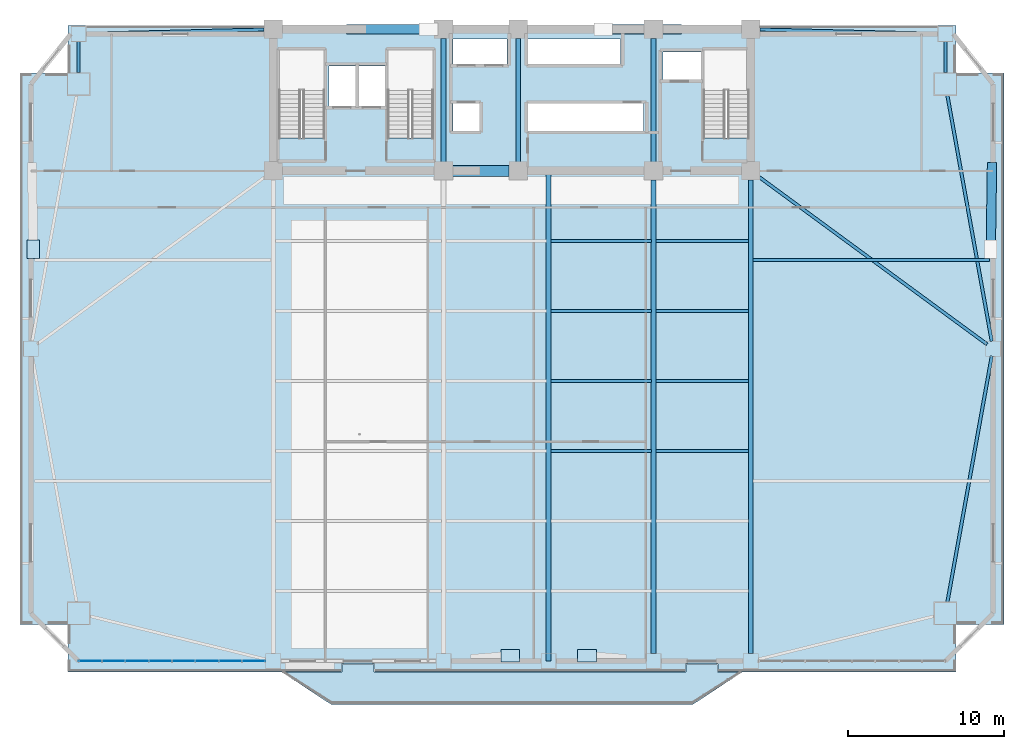
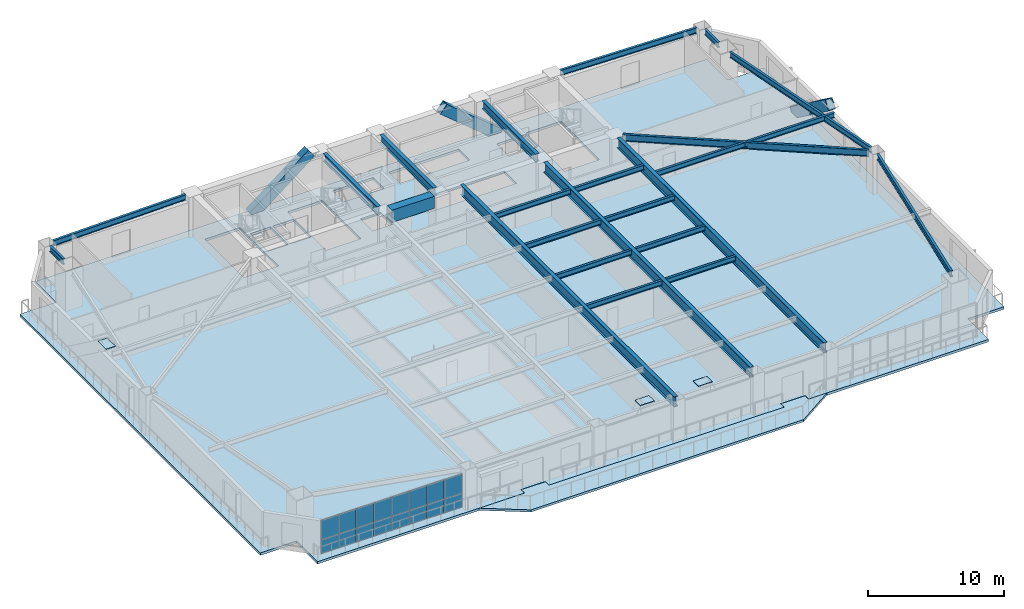
# One storey, part 6 of 16: 23 beams, 19 plates, 3 members, 2 slabs, 1 element without a shape of its own.
"""IFC4 building model written with IfcOpenShell, lengths in metres."""

from ifc_helpers import new_model, si_unit, direction, frame, origin, origin_2d, place, context, subcontext, project, spatial, polyline, rectangle, hollow_rectangle, i_section, outline, extrude, source, transform, mapped, material, layer, layer_set, material_profile, profile_set, type_object, element, aggregate, save


model = new_model("IFC4")

# Units and contexts
model_context = context("Model", 3, precision=1e-05, world=origin(), true_north=direction((0.0, 1.0)))
body_context = subcontext(model_context, "Body", "Model", "MODEL_VIEW")
ifc_project = project(units=[si_unit("LENGTHUNIT", "METRE"), si_unit("AREAUNIT", "SQUARE_METRE"), si_unit("VOLUMEUNIT", "CUBIC_METRE"), si_unit("PLANEANGLEUNIT", "RADIAN"), si_unit("MASSUNIT", "GRAM", prefix="KILO")], contexts=[model_context])

# Site, building, storey
site_placement = place(None, origin())
site = spatial("IfcSite", under=ifc_project, at=site_placement, CompositionType="ELEMENT")
building_placement = place(site_placement, origin())
building = spatial("IfcBuilding", under=site, at=building_placement, Name="Giltprow Tower", CompositionType="ELEMENT")
storey_placement = place(building_placement, frame((0.0, 0.0, 91.300048828125)))
storey = spatial("IfcBuildingStorey", under=building, at=storey_placement, Name="L22", CompositionType="ELEMENT", Elevation=91.300048828125)

# Beams
ifc_material_1 = material(Name="Concrete C60", Category="concrete")
ifc_material_profile_1 = material_profile(ifc_material_1, rectangle(XDim=0.699951171875, YDim=1.10009765625, at=origin_2d()), Name="RC 1100x700")
ifc_profile_set_1 = profile_set([ifc_material_profile_1], Name="Concrete C60")
beam_type_1 = type_object("IfcBeamType", Name="BM-CPL-RC1100", PredefinedType="LINTEL", material=ifc_profile_set_1)
shared_shape_1 = source(origin(), body_context, "Body", "SweptSolid", [
    extrude(rectangle(XDim=0.699951171875, YDim=1.10009765625, at=origin_2d()), origin(), (0.0, 0.0, 1.0), 3.6298828125),
])
beam_1_placement = place(storey_placement, frame((31.385009765625, 37.449951171875, 3.070068359375), z_axis=(1.0, 0.0, 0.0), x_axis=(0.0, 1.0, 0.0)))
element("IfcBeam", 1, at=beam_1_placement, inside=storey, type_object=beam_type_1, Name="L22 Core Coupling Beam CB-1", PredefinedType="LINTEL", context=body_context, shape_type="MappedRepresentation", body=[
    mapped(shared_shape_1, transform((0.0, 0.0, 0.0), x_axis=(1.0, 0.0, 0.0), y_axis=(0.0, 1.0, 0.0), z_axis=(0.0, 0.0, 1.0), scale=1.0)),
])
ifc_material_2 = material(Name="Structural steel Q355B", Category="steel")
ifc_material_profile_2 = material_profile(ifc_material_2, i_section(OverallWidth=0.300048828125, OverallDepth=0.699951171875, WebThickness=0.012939453125, FlangeThickness=0.02392578125, at=origin_2d()), Name="HN 700x300x13x24")
ifc_profile_set_2 = profile_set([ifc_material_profile_2], Name="Structural steel Q355B")
beam_type_2 = type_object("IfcBeamType", Name="BM-GIRD-HN700", PredefinedType="BEAM", material=ifc_profile_set_2)
shared_shape_2 = source(origin(), body_context, "Body", "SweptSolid", [
    extrude(i_section(OverallWidth=0.300048828125, OverallDepth=0.699951171875, WebThickness=0.012939453125, FlangeThickness=0.02392578125, at=origin_2d()), origin(), (0.0, 0.0, 1.0), 7.93017578125),
])
for number, where, z_axis, x_axis, name in (
    (2, (30.800048828125, 38.034912109375, 3.27001953125), (0.0, 1.0, 0.0), (-1.0, 0.0, 0.0), "L22 Core Tie Girder M1"),
    (3, (35.60009765625, 38.034912109375, 3.27001953125), (0.0, 1.0, 0.0), (-1.0, 0.0, 0.0), "L22 Core Tie Girder M2"),
    (4, (44.300048828125, 38.034912109375, 3.27001953125), (0.0, 1.0, 0.0), (-1.0, 0.0, 0.0), "L22 Core Tie Girder M3"),
):
    element("IfcBeam", number, at=place(storey_placement, frame(where, z_axis=z_axis, x_axis=x_axis)), inside=storey, type_object=beam_type_2, Name=name, PredefinedType="BEAM", context=body_context, shape_type="MappedRepresentation", body=[
        mapped(shared_shape_2, transform((0.0, 0.0, 0.0), x_axis=(1.0, 0.0, 0.0), y_axis=(0.0, 1.0, 0.0), z_axis=(0.0, 0.0, 1.0), scale=1.0)),
    ])
ifc_material_profile_3 = material_profile(ifc_material_2, i_section(OverallWidth=0.199951171875, OverallDepth=0.449951171875, WebThickness=0.009033203125, FlangeThickness=0.013916015625, at=origin_2d()), Name="HN 450x200x9x14")
ifc_profile_set_3 = profile_set([ifc_material_profile_3], Name="Structural steel Q355B")
beam_type_3 = type_object("IfcBeamType", Name="BM-JOIST-HN450", PredefinedType="JOIST", material=ifc_profile_set_3)
shared_shape_3 = source(origin(), body_context, "Body", "SweptSolid", [
    extrude(i_section(OverallWidth=0.199951171875, OverallDepth=0.449951171875, WebThickness=0.009033203125, FlangeThickness=0.013916015625, at=origin_2d()), origin(), (0.0, 0.0, 1.0), 6.4599609375),
])
for number, where, z_axis, x_axis, name in (
    (5, (37.695068359375, 19.44189453125, 3.39501953125), (1.0, 0.0, 0.0), (0.0, 1.0, 0.0), "L22 Composite Floor Joist 3-3"),
    (6, (37.695068359375, 23.944091796875, 3.39501953125), (1.0, 0.0, 0.0), (0.0, 1.0, 0.0), "L22 Composite Floor Joist 4-3"),
    (7, (37.695068359375, 28.446044921875, 3.39501953125), (1.0, 0.0, 0.0), (0.0, 1.0, 0.0), "L22 Composite Floor Joist 5-3"),
    (8, (37.695068359375, 32.947998046875, 3.39501953125), (1.0, 0.0, 0.0), (0.0, 1.0, 0.0), "L22 Composite Floor Joist 6-3"),
):
    element("IfcBeam", number, at=place(storey_placement, frame(where, z_axis=z_axis, x_axis=x_axis)), inside=storey, type_object=beam_type_3, Name=name, PredefinedType="JOIST", context=body_context, shape_type="MappedRepresentation", body=[
        mapped(shared_shape_3, transform((0.0, 0.0, 0.0), x_axis=(1.0, 0.0, 0.0), y_axis=(0.0, 1.0, 0.0), z_axis=(0.0, 0.0, 1.0), scale=1.0)),
    ])
shared_shape_4 = source(origin(), body_context, "Body", "SweptSolid", [
    extrude(i_section(OverallWidth=0.199951171875, OverallDepth=0.449951171875, WebThickness=0.009033203125, FlangeThickness=0.013916015625, at=origin_2d()), origin(), (0.0, 0.0, 1.0), 5.9599609375),
])
for number, where, z_axis, x_axis, name in (
    (9, (44.445068359375, 19.44189453125, 3.39501953125), (1.0, 0.0, 0.0), (0.0, 1.0, 0.0), "L22 Composite Floor Joist 3-4"),
    (10, (44.445068359375, 23.944091796875, 3.39501953125), (1.0, 0.0, 0.0), (0.0, 1.0, 0.0), "L22 Composite Floor Joist 4-4"),
    (11, (44.445068359375, 28.446044921875, 3.39501953125), (1.0, 0.0, 0.0), (0.0, 1.0, 0.0), "L22 Composite Floor Joist 5-4"),
    (12, (44.445068359375, 32.947998046875, 3.39501953125), (1.0, 0.0, 0.0), (0.0, 1.0, 0.0), "L22 Composite Floor Joist 6-4"),
):
    element("IfcBeam", number, at=place(storey_placement, frame(where, z_axis=z_axis, x_axis=x_axis)), inside=storey, type_object=beam_type_3, Name=name, PredefinedType="JOIST", context=body_context, shape_type="MappedRepresentation", body=[
        mapped(shared_shape_4, transform((0.0, 0.0, 0.0), x_axis=(1.0, 0.0, 0.0), y_axis=(0.0, 1.0, 0.0), z_axis=(0.0, 0.0, 1.0), scale=1.0)),
    ])
ifc_material_profile_4 = material_profile(ifc_material_2, i_section(OverallWidth=0.199951171875, OverallDepth=0.5, WebThickness=0.010009765625, FlangeThickness=0.01611328125, at=origin_2d()), Name="HN 500x200x10x16")
ifc_profile_set_4 = profile_set([ifc_material_profile_4], Name="Structural steel Q355B")
beam_type_4 = type_object("IfcBeamType", Name="BM-SPAN-HN500", PredefinedType="SPANDREL", material=ifc_profile_set_4)
shared_shape_5 = source(origin(), body_context, "Body", "SweptSolid", [
    extrude(i_section(OverallWidth=0.199951171875, OverallDepth=0.5, WebThickness=0.010009765625, FlangeThickness=0.01611328125, at=origin_2d()), origin(), (0.0, 0.0, 1.0), 16.0673828125),
])
beam_2_placement = place(storey_placement, frame((63.18701171875, 9.72900390625, 3.369873046875), z_axis=(0.177566852067, 0.984108740459, 0.0), x_axis=(-0.984108740459, 0.177566852067, 0.0)))
element("IfcBeam", 13, at=beam_2_placement, inside=storey, type_object=beam_type_4, Name="L22 Perimeter Spandrel Beam MC_SE-E_MID", PredefinedType="SPANDREL", context=body_context, shape_type="MappedRepresentation", body=[
    mapped(shared_shape_5, transform((0.0, 0.0, 0.0), x_axis=(1.0, 0.0, 0.0), y_axis=(0.0, 1.0, 0.0), z_axis=(0.0, 0.0, 1.0), scale=1.0)),
])
shared_shape_6 = source(origin(), body_context, "Body", "SweptSolid", [
    extrude(i_section(OverallWidth=0.199951171875, OverallDepth=0.5, WebThickness=0.010009765625, FlangeThickness=0.01611328125, at=origin_2d()), origin(), (0.0, 0.0, 1.0), 16.067138671875),
])
beam_3_placement = place(storey_placement, frame((66.0400390625, 26.4951171875, 3.369873046875), z_axis=(-0.177569507329, 0.984108261355, 0.0), x_axis=(-0.984108261355, -0.177569507329, 0.0)))
element("IfcBeam", 14, at=beam_3_placement, inside=storey, type_object=beam_type_4, Name="L22 Perimeter Spandrel Beam E_MID-MC_NE", PredefinedType="SPANDREL", context=body_context, shape_type="MappedRepresentation", body=[
    mapped(shared_shape_6, transform((0.0, 0.0, 0.0), x_axis=(1.0, 0.0, 0.0), y_axis=(0.0, 1.0, 0.0), z_axis=(0.0, 0.0, 1.0), scale=1.0)),
])
shared_shape_7 = source(origin(), body_context, "Body", "SweptSolid", [
    extrude(i_section(OverallWidth=0.199951171875, OverallDepth=0.5, WebThickness=0.010009765625, FlangeThickness=0.01611328125, at=origin_2d()), origin(), (0.0, 0.0, 1.0), 2.0),
])
for number, where, z_axis, x_axis, name in (
    (15, (63.055908203125, 43.764892578125, 3.369873046875), (0.0, 1.0, 0.0), (-1.0, 0.0, 0.0), "L22 Perimeter Spandrel Beam MC_NE-N_E"),
    (16, (7.344970703125, 45.764892578125, 3.369873046875), (0.0, -1.0, 0.0), (1.0, 0.0, 0.0), "L22 Perimeter Spandrel Beam N_W-MC_NW"),
):
    element("IfcBeam", number, at=place(storey_placement, frame(where, z_axis=z_axis, x_axis=x_axis)), inside=storey, type_object=beam_type_4, Name=name, PredefinedType="SPANDREL", context=body_context, shape_type="MappedRepresentation", body=[
        mapped(shared_shape_7, transform((0.0, 0.0, 0.0), x_axis=(1.0, 0.0, 0.0), y_axis=(0.0, 1.0, 0.0), z_axis=(0.0, 0.0, 1.0), scale=1.0)),
    ])
shared_shape_8 = source(origin(), body_context, "Body", "SweptSolid", [
    extrude(i_section(OverallWidth=0.199951171875, OverallDepth=0.5, WebThickness=0.010009765625, FlangeThickness=0.01611328125, at=origin_2d()), origin(), (0.0, 0.0, 1.0), 11.43798828125),
])
beam_4_placement = place(storey_placement, frame((7.830078125, 46.261962890625, 3.369873046875), z_axis=(0.999713192365, 0.023948549263, 0.0), x_axis=(-0.023948549263, 0.999713192365, 0.0)))
element("IfcBeam", 17, at=beam_4_placement, inside=storey, type_object=beam_type_4, Name="L22 North Wing Spandrel W", PredefinedType="SPANDREL", context=body_context, shape_type="MappedRepresentation", body=[
    mapped(shared_shape_8, transform((0.0, 0.0, 0.0), x_axis=(1.0, 0.0, 0.0), y_axis=(0.0, 1.0, 0.0), z_axis=(0.0, 0.0, 1.0), scale=1.0)),
])
shared_shape_9 = source(origin(), body_context, "Body", "SweptSolid", [
    extrude(i_section(OverallWidth=0.199951171875, OverallDepth=0.5, WebThickness=0.010009765625, FlangeThickness=0.01611328125, at=origin_2d()), origin(), (0.0, 0.0, 1.0), 11.439208984375),
])
beam_5_placement = place(storey_placement, frame((51.135009765625, 46.535888671875, 3.369873046875), z_axis=(0.999713253564, -0.023945994417, 0.0), x_axis=(0.023945994417, 0.999713253564, 0.0)))
element("IfcBeam", 18, at=beam_5_placement, inside=storey, type_object=beam_type_4, Name="L22 North Wing Spandrel E", PredefinedType="SPANDREL", context=body_context, shape_type="MappedRepresentation", body=[
    mapped(shared_shape_9, transform((0.0, 0.0, 0.0), x_axis=(1.0, 0.0, 0.0), y_axis=(0.0, 1.0, 0.0), z_axis=(0.0, 0.0, 1.0), scale=1.0)),
])
ifc_material_profile_5 = material_profile(ifc_material_2, i_section(OverallWidth=0.300048828125, OverallDepth=0.89990234375, WebThickness=0.01611328125, FlangeThickness=0.028076171875, at=origin_2d()), Name="HN 900x300x16x28")
ifc_profile_set_5 = profile_set([ifc_material_profile_5], Name="Structural steel Q355B")
beam_type_5 = type_object("IfcBeamType", Name="BM-GIRD-HN900", PredefinedType="BEAM", material=ifc_profile_set_5)
shared_shape_10 = source(origin(), body_context, "Body", "SweptSolid", [
    extrude(i_section(OverallWidth=0.300048828125, OverallDepth=0.89990234375, WebThickness=0.01611328125, FlangeThickness=0.028076171875, at=origin_2d()), origin(), (0.0, 0.0, 1.0), 30.444091796875),
])
for number, where, z_axis, x_axis, name in (
    (19, (44.300048828125, 6.4208984375, 3.169921875), (0.0, 1.0, 0.0), (-1.0, 0.0, 0.0), "L22 Primary Lease Girder S3"),
    (20, (50.550048828125, 6.4208984375, 3.169921875), (0.0, 1.0, 0.0), (-1.0, 0.0, 0.0), "L22 Primary Lease Girder S4"),
):
    element("IfcBeam", number, at=place(storey_placement, frame(where, z_axis=z_axis, x_axis=x_axis)), inside=storey, type_object=beam_type_5, Name=name, PredefinedType="BEAM", context=body_context, shape_type="MappedRepresentation", body=[
        mapped(shared_shape_10, transform((0.0, 0.0, 0.0), x_axis=(1.0, 0.0, 0.0), y_axis=(0.0, 1.0, 0.0), z_axis=(0.0, 0.0, 1.0), scale=1.0)),
    ])
shared_shape_11 = source(origin(), body_context, "Body", "SweptSolid", [
    extrude(i_section(OverallWidth=0.300048828125, OverallDepth=0.89990234375, WebThickness=0.01611328125, FlangeThickness=0.028076171875, at=origin_2d()), origin(), (0.0, 0.0, 1.0), 31.513916015625),
])
beam_6_placement = place(storey_placement, frame((37.550048828125, 5.93603515625, 3.169921875), z_axis=(0.0, 1.0, 0.0), x_axis=(-1.0, 0.0, 0.0)))
element("IfcBeam", 21, at=beam_6_placement, inside=storey, type_object=beam_type_5, Name="L22 Central Lease Girder SMID", PredefinedType="BEAM", context=body_context, shape_type="MappedRepresentation", body=[
    mapped(shared_shape_11, transform((0.0, 0.0, 0.0), x_axis=(1.0, 0.0, 0.0), y_axis=(0.0, 1.0, 0.0), z_axis=(0.0, 0.0, 1.0), scale=1.0)),
])
ifc_material_profile_6 = material_profile(ifc_material_2, i_section(OverallWidth=0.199951171875, OverallDepth=0.60009765625, WebThickness=0.010986328125, FlangeThickness=0.01708984375, at=origin_2d()), Name="HN 600x200x11x17")
ifc_profile_set_6 = profile_set([ifc_material_profile_6], Name="Structural steel Q355B")
beam_type_6 = type_object("IfcBeamType", Name="BM-GIRD-HN600", PredefinedType="BEAM", material=ifc_profile_set_6)
shared_shape_12 = source(origin(), body_context, "Body", "SweptSolid", [
    extrude(i_section(OverallWidth=0.199951171875, OverallDepth=0.60009765625, WebThickness=0.010986328125, FlangeThickness=0.01708984375, at=origin_2d()), origin(), (0.0, 0.0, 1.0), 18.2509765625),
])
beam_7_placement = place(storey_placement, frame((65.735107421875, 26.304931640625, 3.320068359375), z_axis=(-0.806158265138, 0.591699967508, 0.0), x_axis=(-0.591699967508, -0.806158265138, 0.0)))
element("IfcBeam", 22, at=beam_7_placement, inside=storey, type_object=beam_type_6, Name="L22 East Wing Primary Girder", PredefinedType="BEAM", context=body_context, shape_type="MappedRepresentation", body=[
    mapped(shared_shape_12, transform((0.0, 0.0, 0.0), x_axis=(1.0, 0.0, 0.0), y_axis=(0.0, 1.0, 0.0), z_axis=(0.0, 0.0, 1.0), scale=1.0)),
])
shared_shape_13 = source(origin(), body_context, "Body", "SweptSolid", [
    extrude(i_section(OverallWidth=0.199951171875, OverallDepth=0.449951171875, WebThickness=0.009033203125, FlangeThickness=0.013916015625, at=origin_2d()), origin(), (0.0, 0.0, 1.0), 15.2109375),
])
beam_8_placement = place(storey_placement, frame((50.695068359375, 31.73388671875, 3.39501953125), z_axis=(1.0, 0.0, 0.0), x_axis=(0.0, 1.0, 0.0)))
element("IfcBeam", 23, at=beam_8_placement, inside=storey, type_object=beam_type_3, Name="L22 East Wing Floor Joist 2", PredefinedType="JOIST", context=body_context, shape_type="MappedRepresentation", body=[
    mapped(shared_shape_13, transform((0.0, 0.0, 0.0), x_axis=(1.0, 0.0, 0.0), y_axis=(0.0, 1.0, 0.0), z_axis=(0.0, 0.0, 1.0), scale=1.0)),
])

# Members
ifc_material_3 = material(Name="Structural steel Q420GJC", Category="steel")
ifc_material_profile_7 = material_profile(ifc_material_3, hollow_rectangle(XDim=0.60009765625, YDim=0.89990234375, WallThickness=0.0400390625, at=origin_2d()), Name="RHS 900x600x40")
ifc_profile_set_7 = profile_set([ifc_material_profile_7], Name="Structural steel Q420GJC")
member_type = type_object("IfcMemberType", Name="MBR-MEGA-RHS900", PredefinedType="BRACE", material=ifc_profile_set_7)
shared_shape_14 = source(origin(), body_context, "Body", "SweptSolid", [
    extrude(hollow_rectangle(XDim=0.60009765625, YDim=0.89990234375, WallThickness=0.0400390625, at=origin_2d()), origin(), (0.0, 0.0, 1.0), 6.33642578125),
])
member_1_placement = place(storey_placement, frame((24.843994140625, 46.550048828125, -0.14013671875), z_axis=(0.788126587103, 0.0, 0.615513186456), x_axis=(0.0, 1.0, 0.0)))
element("IfcMember", 24, at=member_1_placement, inside=storey, type_object=member_type, Name="L22 Chevron Mega-Brace N-L", PredefinedType="BRACE", context=body_context, shape_type="MappedRepresentation", body=[
    mapped(shared_shape_14, transform((0.0, 0.0, 0.0), x_axis=(1.0, 0.0, 0.0), y_axis=(0.0, 1.0, 0.0), z_axis=(0.0, 0.0, 1.0), scale=1.0)),
])
shared_shape_15 = source(origin(), body_context, "Body", "SweptSolid", [
    extrude(hollow_rectangle(XDim=0.60009765625, YDim=0.89990234375, WallThickness=0.0400390625, at=origin_2d()), origin(), (0.0, 0.0, 1.0), 6.13818359375),
])
member_2_placement = place(storey_placement, frame((45.81005859375, 46.550048828125, -0.14013671875), z_axis=(-0.772199968951, 0.0, 0.635379577852), x_axis=(0.0, -1.0, 0.0)))
element("IfcMember", 25, at=member_2_placement, inside=storey, type_object=member_type, Name="L22 Chevron Mega-Brace N-R", PredefinedType="BRACE", context=body_context, shape_type="MappedRepresentation", body=[
    mapped(shared_shape_15, transform((0.0, 0.0, 0.0), x_axis=(1.0, 0.0, 0.0), y_axis=(0.0, 1.0, 0.0), z_axis=(0.0, 0.0, 1.0), scale=1.0)),
])
shared_shape_16 = source(origin(), body_context, "Body", "SweptSolid", [
    extrude(hollow_rectangle(XDim=0.60009765625, YDim=0.89990234375, WallThickness=0.0400390625, at=origin_2d()), origin(), (0.0, 0.0, 1.0), 6.589599609375),
])
member_3_placement = place(storey_placement, frame((66.051025390625, 37.718994140625, 0.0), z_axis=(-0.011226095809, -0.805981809328, 0.591833843072), x_axis=(0.999903012933, -0.013927122043, 0.0)))
element("IfcMember", 26, at=member_3_placement, inside=storey, type_object=member_type, Name="L22 Chevron Mega-Brace E-R", PredefinedType="BRACE", context=body_context, shape_type="MappedRepresentation", body=[
    mapped(shared_shape_16, transform((0.0, 0.0, 0.0), x_axis=(1.0, 0.0, 0.0), y_axis=(0.0, 1.0, 0.0), z_axis=(0.0, 0.0, 1.0), scale=1.0)),
])

# Slabs
ifc_material_4 = material(Name="Concrete C40", Category="concrete")
ifc_layer_1 = layer(ifc_material_4, 0.199951171875, Name="Concrete C40")
ifc_layer_set_1 = layer_set([ifc_layer_1], Name="Concrete C40")
slab_type_1 = type_object("IfcSlabType", Name="SLB-BALC-BRONZE-200", PredefinedType="FLOOR", material=ifc_layer_set_1)
slab_1_placement = place(storey_placement, frame((0.0, 0.0, -0.199951171875)))
element("IfcSlab", 27, at=slab_1_placement, inside=storey, type_object=slab_type_1, Name="L22 Bronze Prow Waterfront Balcony Slab", PredefinedType="FLOOR", context=body_context, shape_type="SweptSolid", body=[
    extrude(outline(polyline([(50.0, 5.236083984375), (46.800048828125, 3.135986328125), (23.60009765625, 3.135986328125), (20.39990234375, 5.236083984375), (24.280029296875, 5.236083984375), (24.280029296875, 5.736083984375), (26.320068359375, 5.736083984375), (26.320068359375, 5.236083984375), (46.3798828125, 5.236083984375), (46.3798828125, 5.736083984375), (48.419921875, 5.736083984375), (48.419921875, 5.236083984375), (50.0, 5.236083984375)])), origin(), (0.0, 0.0, 1.0), 0.199951171875),
])
ifc_layer_2 = layer(ifc_material_4, 0.219970703125, Name="Concrete C40")
ifc_layer_set_2 = layer_set([ifc_layer_2], Name="Concrete C40")
slab_type_2 = type_object("IfcSlabType", Name="SLB-OFF-220", PredefinedType="FLOOR", material=ifc_layer_set_2)
slab_2_placement = place(storey_placement, frame((0.0, 0.0, -0.219970703125)))
element("IfcSlab", 28, at=slab_2_placement, inside=storey, type_object=slab_type_2, Name="L22 Structural Composite Floor Slab", PredefinedType="FLOOR", context=body_context, shape_type="SweptSolid", body=[
    extrude(outline(polyline([(6.64501953125, 5.236083984375), (6.64501953125, 8.305908203125), (3.574951171875, 8.305908203125), (3.574951171875, 43.72998046875), (6.64501953125, 43.72998046875), (6.64501953125, 46.800048828125), (63.756103515625, 46.800048828125), (63.756103515625, 43.72998046875), (66.825927734375, 43.72998046875), (66.825927734375, 8.305908203125), (63.756103515625, 8.305908203125), (63.756103515625, 5.236083984375), (48.449951171875, 5.236083984375), (48.449951171875, 5.756103515625), (46.35009765625, 5.756103515625), (46.35009765625, 5.236083984375), (26.35009765625, 5.236083984375), (26.35009765625, 5.756103515625), (24.25, 5.756103515625), (24.25, 5.236083984375), (6.64501953125, 5.236083984375)]), holes=[polyline([(33.10009765625, 41.800048828125), (31.419921875, 41.800048828125), (31.419921875, 40.0), (33.10009765625, 40.0), (33.10009765625, 41.800048828125)]), polyline([(23.159912109375, 39.570068359375), (23.159912109375, 45.25), (20.199951171875, 45.25), (20.199951171875, 39.570068359375), (23.159912109375, 39.570068359375)]), polyline([(30.159912109375, 45.25), (27.199951171875, 45.25), (27.199951171875, 39.570068359375), (30.159912109375, 39.570068359375), (30.159912109375, 45.25)]), polyline([(25.169921875, 41.60009765625), (25.169921875, 44.199951171875), (23.449951171875, 44.199951171875), (23.449951171875, 41.60009765625), (25.169921875, 41.60009765625)]), polyline([(27.10009765625, 41.60009765625), (27.10009765625, 44.199951171875), (25.35009765625, 44.199951171875), (25.35009765625, 41.60009765625), (27.10009765625, 41.60009765625)]), polyline([(43.659912109375, 40.0), (43.659912109375, 41.800048828125), (36.239990234375, 41.800048828125), (36.239990234375, 40.0), (43.659912109375, 40.0)]), polyline([(50.4599609375, 39.570068359375), (50.4599609375, 45.25), (47.5, 45.25), (47.5, 39.570068359375), (50.4599609375, 39.570068359375)]), polyline([(47.3798828125, 45.10009765625), (44.919921875, 45.10009765625), (44.919921875, 43.300048828125), (47.3798828125, 43.300048828125), (47.3798828125, 45.10009765625)]), polyline([(34.8798828125, 44.300048828125), (34.8798828125, 45.919921875), (31.419921875, 45.919921875), (31.419921875, 44.300048828125), (34.8798828125, 44.300048828125)]), polyline([(42.169921875, 44.300048828125), (42.169921875, 45.919921875), (36.239990234375, 45.919921875), (36.239990234375, 44.300048828125), (42.169921875, 44.300048828125)])]), origin(), (0.0, 0.0, 1.0), 0.219970703125),
])

# Plates
plate_type_1 = type_object("IfcPlateType", Name="PLT-CAP-SEAL", PredefinedType="USERDEFINED", material=ifc_material_3)
shared_shape_17 = source(origin(), body_context, "Body", "SweptSolid", [
    extrude(rectangle(XDim=1.199951171875, YDim=0.800048828125, at=origin_2d()), origin(), (0.0, 0.0, 1.0), 0.034912109375),
])
for number, where, z_axis, x_axis, name in (
    (29, (35.080078125, 6.27001953125, 3.88232421875), (0.0, 0.0, 1.0), (1.0, 0.0, 0.0), "Mega-Brace Node L22-S-LB"),
    (30, (40.02001953125, 6.27001953125, 3.88232421875), (0.0, 0.0, 1.0), (1.0, 0.0, 0.0), "Mega-Brace Node L22-S-RB"),
    (31, (4.424072265625, 32.407958984375, 3.88232421875), (0.0, 0.0, 1.0), (0.0, 1.0, 0.0), "Mega-Brace Node L22-W-RB"),
):
    element("IfcPlate", number, at=place(storey_placement, frame(where, z_axis=z_axis, x_axis=x_axis)), inside=storey, type_object=plate_type_1, Name=name, ObjectType="SPLICE", PredefinedType="USERDEFINED", context=body_context, shape_type="MappedRepresentation", body=[
        mapped(shared_shape_17, transform((0.0, 0.0, 0.0), x_axis=(1.0, 0.0, 0.0), y_axis=(0.0, 1.0, 0.0), z_axis=(0.0, 0.0, 1.0), scale=1.0)),
    ])

# Curtain wall, plates
ifc_material_5 = material(Name="Anodized bronze", Category="metal")
ifc_layer_3 = layer(ifc_material_5, 0.179931640625, Name="Anodized bronze")
ifc_layer_set_3 = layer_set([ifc_layer_3], Name="Anodized bronze")
curtain_wall_type = type_object("IfcCurtainWallType", Name="CW-OFF-RECESSED", PredefinedType="NOTDEFINED", material=ifc_layer_set_3)
curtain_wall_placement = place(storey_placement, origin())
curtain_wall = element("IfcCurtainWall", 32, at=curtain_wall_placement, inside=storey, type_object=curtain_wall_type, Name="L22 South Recessed Curtain Wall 1", PredefinedType="NOTDEFINED")
ifc_material_6 = material(Name="Insulated glass", Category="glass")
plate_type_2 = type_object("IfcPlateType", Name="CW-PANEL-IGU-28", PredefinedType="CURTAIN_PANEL", material=ifc_material_6)
shared_shape_18 = source(origin(), body_context, "Body", "SweptSolid", [
    extrude(rectangle(XDim=1.470947265625, YDim=0.028076171875, at=origin_2d()), origin(), (0.0, 0.0, 1.0), 1.23388671875),
])
plate_1_placement = place(storey_placement, frame((8.094970703125, 5.93603515625, 0.053955078125), z_axis=(0.0, 0.0, 1.0), x_axis=(1.0, 0.0, 0.0)))
plate_1 = element("IfcPlate", 33, at=plate_1_placement, type_object=plate_type_2, Name="L22 South Recessed Curtain Wall 1 Glazing Panel 1-1", PredefinedType="CURTAIN_PANEL", context=body_context, shape_type="MappedRepresentation", body=[
    mapped(shared_shape_18, transform((0.0, 0.0, 0.0), x_axis=(1.0, 0.0, 0.0), y_axis=(0.0, 1.0, 0.0), z_axis=(0.0, 0.0, 1.0), scale=1.0)),
])
plate_2_placement = place(storey_placement, frame((9.595947265625, 5.93603515625, 0.053955078125), z_axis=(0.0, 0.0, 1.0), x_axis=(1.0, 0.0, 0.0)))
plate_2 = element("IfcPlate", 34, at=plate_2_placement, type_object=plate_type_2, Name="L22 South Recessed Curtain Wall 1 Glazing Panel 2-1", PredefinedType="CURTAIN_PANEL", context=body_context, shape_type="MappedRepresentation", body=[
    mapped(shared_shape_18, transform((0.0, 0.0, 0.0), x_axis=(1.0, 0.0, 0.0), y_axis=(0.0, 1.0, 0.0), z_axis=(0.0, 0.0, 1.0), scale=1.0)),
])
plate_3_placement = place(storey_placement, frame((11.096923828125, 5.93603515625, 0.053955078125), z_axis=(0.0, 0.0, 1.0), x_axis=(1.0, 0.0, 0.0)))
plate_3 = element("IfcPlate", 35, at=plate_3_placement, type_object=plate_type_2, Name="L22 South Recessed Curtain Wall 1 Glazing Panel 3-1", PredefinedType="CURTAIN_PANEL", context=body_context, shape_type="MappedRepresentation", body=[
    mapped(shared_shape_18, transform((0.0, 0.0, 0.0), x_axis=(1.0, 0.0, 0.0), y_axis=(0.0, 1.0, 0.0), z_axis=(0.0, 0.0, 1.0), scale=1.0)),
])
plate_4_placement = place(storey_placement, frame((12.596923828125, 5.93603515625, 0.053955078125), z_axis=(0.0, 0.0, 1.0), x_axis=(1.0, 0.0, 0.0)))
plate_4 = element("IfcPlate", 36, at=plate_4_placement, type_object=plate_type_2, Name="L22 South Recessed Curtain Wall 1 Glazing Panel 4-1", PredefinedType="CURTAIN_PANEL", context=body_context, shape_type="MappedRepresentation", body=[
    mapped(shared_shape_18, transform((0.0, 0.0, 0.0), x_axis=(1.0, 0.0, 0.0), y_axis=(0.0, 1.0, 0.0), z_axis=(0.0, 0.0, 1.0), scale=1.0)),
])
plate_5_placement = place(storey_placement, frame((14.097900390625, 5.93603515625, 0.053955078125), z_axis=(0.0, 0.0, 1.0), x_axis=(1.0, 0.0, 0.0)))
plate_5 = element("IfcPlate", 37, at=plate_5_placement, type_object=plate_type_2, Name="L22 South Recessed Curtain Wall 1 Glazing Panel 5-1", PredefinedType="CURTAIN_PANEL", context=body_context, shape_type="MappedRepresentation", body=[
    mapped(shared_shape_18, transform((0.0, 0.0, 0.0), x_axis=(1.0, 0.0, 0.0), y_axis=(0.0, 1.0, 0.0), z_axis=(0.0, 0.0, 1.0), scale=1.0)),
])
plate_6_placement = place(storey_placement, frame((15.597900390625, 5.93603515625, 0.053955078125), z_axis=(0.0, 0.0, 1.0), x_axis=(1.0, 0.0, 0.0)))
plate_6 = element("IfcPlate", 38, at=plate_6_placement, type_object=plate_type_2, Name="L22 South Recessed Curtain Wall 1 Glazing Panel 6-1", PredefinedType="CURTAIN_PANEL", context=body_context, shape_type="MappedRepresentation", body=[
    mapped(shared_shape_18, transform((0.0, 0.0, 0.0), x_axis=(1.0, 0.0, 0.0), y_axis=(0.0, 1.0, 0.0), z_axis=(0.0, 0.0, 1.0), scale=1.0)),
])
plate_7_placement = place(storey_placement, frame((17.09912109375, 5.93603515625, 0.053955078125), z_axis=(0.0, 0.0, 1.0), x_axis=(1.0, 0.0, 0.0)))
plate_7 = element("IfcPlate", 39, at=plate_7_placement, type_object=plate_type_2, Name="L22 South Recessed Curtain Wall 1 Glazing Panel 7-1", PredefinedType="CURTAIN_PANEL", context=body_context, shape_type="MappedRepresentation", body=[
    mapped(shared_shape_18, transform((0.0, 0.0, 0.0), x_axis=(1.0, 0.0, 0.0), y_axis=(0.0, 1.0, 0.0), z_axis=(0.0, 0.0, 1.0), scale=1.0)),
])
plate_8_placement = place(storey_placement, frame((18.60009765625, 5.93603515625, 0.053955078125), z_axis=(0.0, 0.0, 1.0), x_axis=(1.0, 0.0, 0.0)))
plate_8 = element("IfcPlate", 40, at=plate_8_placement, type_object=plate_type_2, Name="L22 South Recessed Curtain Wall 1 Glazing Panel 8-1", PredefinedType="CURTAIN_PANEL", context=body_context, shape_type="MappedRepresentation", body=[
    mapped(shared_shape_18, transform((0.0, 0.0, 0.0), x_axis=(1.0, 0.0, 0.0), y_axis=(0.0, 1.0, 0.0), z_axis=(0.0, 0.0, 1.0), scale=1.0)),
])
shared_shape_19 = source(origin(), body_context, "Body", "SweptSolid", [
    extrude(rectangle(XDim=1.470947265625, YDim=0.028076171875, at=origin_2d()), origin(), (0.0, 0.0, 1.0), 1.72998046875),
])
plate_9_placement = place(storey_placement, frame((8.094970703125, 5.93603515625, 1.31591796875), z_axis=(0.0, 0.0, 1.0), x_axis=(1.0, 0.0, 0.0)))
plate_9 = element("IfcPlate", 41, at=plate_9_placement, type_object=plate_type_2, Name="L22 South Recessed Curtain Wall 1 Glazing Panel 1-2", PredefinedType="CURTAIN_PANEL", context=body_context, shape_type="MappedRepresentation", body=[
    mapped(shared_shape_19, transform((0.0, 0.0, 0.0), x_axis=(1.0, 0.0, 0.0), y_axis=(0.0, 1.0, 0.0), z_axis=(0.0, 0.0, 1.0), scale=1.0)),
])
plate_10_placement = place(storey_placement, frame((9.595947265625, 5.93603515625, 1.31591796875), z_axis=(0.0, 0.0, 1.0), x_axis=(1.0, 0.0, 0.0)))
plate_10 = element("IfcPlate", 42, at=plate_10_placement, type_object=plate_type_2, Name="L22 South Recessed Curtain Wall 1 Glazing Panel 2-2", PredefinedType="CURTAIN_PANEL", context=body_context, shape_type="MappedRepresentation", body=[
    mapped(shared_shape_19, transform((0.0, 0.0, 0.0), x_axis=(1.0, 0.0, 0.0), y_axis=(0.0, 1.0, 0.0), z_axis=(0.0, 0.0, 1.0), scale=1.0)),
])
plate_11_placement = place(storey_placement, frame((11.096923828125, 5.93603515625, 1.31591796875), z_axis=(0.0, 0.0, 1.0), x_axis=(1.0, 0.0, 0.0)))
plate_11 = element("IfcPlate", 43, at=plate_11_placement, type_object=plate_type_2, Name="L22 South Recessed Curtain Wall 1 Glazing Panel 3-2", PredefinedType="CURTAIN_PANEL", context=body_context, shape_type="MappedRepresentation", body=[
    mapped(shared_shape_19, transform((0.0, 0.0, 0.0), x_axis=(1.0, 0.0, 0.0), y_axis=(0.0, 1.0, 0.0), z_axis=(0.0, 0.0, 1.0), scale=1.0)),
])
plate_12_placement = place(storey_placement, frame((12.596923828125, 5.93603515625, 1.31591796875), z_axis=(0.0, 0.0, 1.0), x_axis=(1.0, 0.0, 0.0)))
plate_12 = element("IfcPlate", 44, at=plate_12_placement, type_object=plate_type_2, Name="L22 South Recessed Curtain Wall 1 Glazing Panel 4-2", PredefinedType="CURTAIN_PANEL", context=body_context, shape_type="MappedRepresentation", body=[
    mapped(shared_shape_19, transform((0.0, 0.0, 0.0), x_axis=(1.0, 0.0, 0.0), y_axis=(0.0, 1.0, 0.0), z_axis=(0.0, 0.0, 1.0), scale=1.0)),
])
plate_13_placement = place(storey_placement, frame((14.097900390625, 5.93603515625, 1.31591796875), z_axis=(0.0, 0.0, 1.0), x_axis=(1.0, 0.0, 0.0)))
plate_13 = element("IfcPlate", 45, at=plate_13_placement, type_object=plate_type_2, Name="L22 South Recessed Curtain Wall 1 Glazing Panel 5-2", PredefinedType="CURTAIN_PANEL", context=body_context, shape_type="MappedRepresentation", body=[
    mapped(shared_shape_19, transform((0.0, 0.0, 0.0), x_axis=(1.0, 0.0, 0.0), y_axis=(0.0, 1.0, 0.0), z_axis=(0.0, 0.0, 1.0), scale=1.0)),
])
plate_14_placement = place(storey_placement, frame((15.597900390625, 5.93603515625, 1.31591796875), z_axis=(0.0, 0.0, 1.0), x_axis=(1.0, 0.0, 0.0)))
plate_14 = element("IfcPlate", 46, at=plate_14_placement, type_object=plate_type_2, Name="L22 South Recessed Curtain Wall 1 Glazing Panel 6-2", PredefinedType="CURTAIN_PANEL", context=body_context, shape_type="MappedRepresentation", body=[
    mapped(shared_shape_19, transform((0.0, 0.0, 0.0), x_axis=(1.0, 0.0, 0.0), y_axis=(0.0, 1.0, 0.0), z_axis=(0.0, 0.0, 1.0), scale=1.0)),
])
plate_15_placement = place(storey_placement, frame((17.09912109375, 5.93603515625, 1.31591796875), z_axis=(0.0, 0.0, 1.0), x_axis=(1.0, 0.0, 0.0)))
plate_15 = element("IfcPlate", 47, at=plate_15_placement, type_object=plate_type_2, Name="L22 South Recessed Curtain Wall 1 Glazing Panel 7-2", PredefinedType="CURTAIN_PANEL", context=body_context, shape_type="MappedRepresentation", body=[
    mapped(shared_shape_19, transform((0.0, 0.0, 0.0), x_axis=(1.0, 0.0, 0.0), y_axis=(0.0, 1.0, 0.0), z_axis=(0.0, 0.0, 1.0), scale=1.0)),
])
plate_16_placement = place(storey_placement, frame((18.60009765625, 5.93603515625, 1.31591796875), z_axis=(0.0, 0.0, 1.0), x_axis=(1.0, 0.0, 0.0)))
plate_16 = element("IfcPlate", 48, at=plate_16_placement, type_object=plate_type_2, Name="L22 South Recessed Curtain Wall 1 Glazing Panel 8-2", PredefinedType="CURTAIN_PANEL", context=body_context, shape_type="MappedRepresentation", body=[
    mapped(shared_shape_19, transform((0.0, 0.0, 0.0), x_axis=(1.0, 0.0, 0.0), y_axis=(0.0, 1.0, 0.0), z_axis=(0.0, 0.0, 1.0), scale=1.0)),
])
aggregate(curtain_wall, [plate_1, plate_9, plate_2, plate_10, plate_3, plate_11, plate_4, plate_12, plate_5, plate_13, plate_6, plate_14, plate_7, plate_15, plate_8, plate_16])

save(model, "model.ifc")
